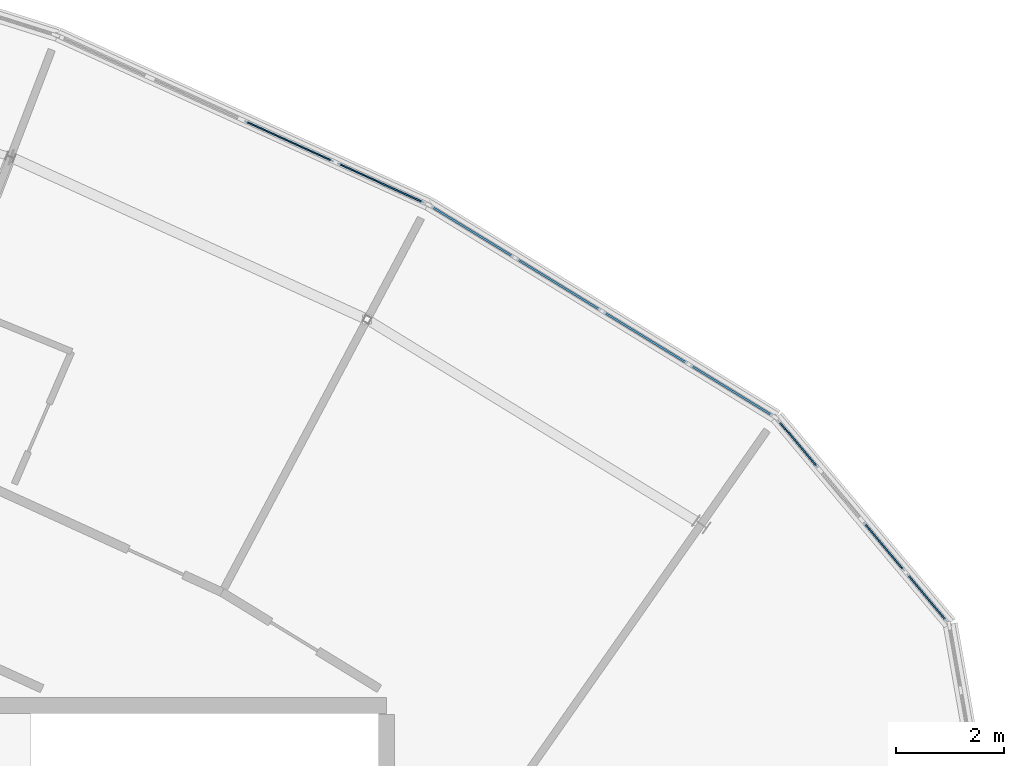
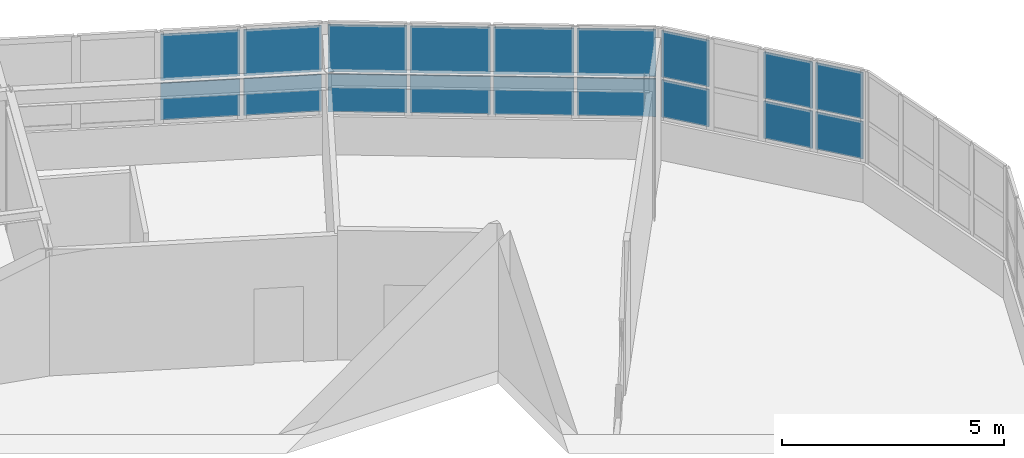
# One storey, part 19 of 26: 18 plates, 3 elements without a shape of their own.
"""IFC4 building model written with IfcOpenShell, lengths in metres."""

from ifc_helpers import new_model, si_unit, direction, frame, origin, origin_2d, place, context, subcontext, project, spatial, rectangle, extrude, material, layer, layer_set, type_object, element, aggregate, save


model = new_model("IFC4")

# Units and contexts
model_context = context("Model", 3, precision=1e-05, world=origin(), true_north=direction((0.0, 1.0)))
body_context = subcontext(model_context, "Body", "Model", "MODEL_VIEW")
ifc_project = project(units=[si_unit("LENGTHUNIT", "METRE"), si_unit("AREAUNIT", "SQUARE_METRE"), si_unit("VOLUMEUNIT", "CUBIC_METRE"), si_unit("PLANEANGLEUNIT", "RADIAN"), si_unit("MASSUNIT", "GRAM", prefix="KILO")], contexts=[model_context])

# Site, building, storey
site_placement = place(None, origin())
site = spatial("IfcSite", under=ifc_project, at=site_placement, CompositionType="ELEMENT")
building_placement = place(site_placement, origin())
building = spatial("IfcBuilding", under=site, at=building_placement, Name="Tarnwether General Hospital", CompositionType="ELEMENT")
storey_placement = place(building_placement, frame((0.0, 0.0, 30.0)))
storey = spatial("IfcBuildingStorey", under=building, at=storey_placement, Name="L07", CompositionType="ELEMENT", Elevation=30.0)

# Curtain wall, plates
ifc_material_1 = material(Name="Anodised aluminium", Category="aluminium")
ifc_layer_1 = layer(ifc_material_1, 0.159912109375)
ifc_layer_set_1 = layer_set([ifc_layer_1], Name="Anodised aluminium")
curtain_wall_type_1 = type_object("IfcCurtainWallType", Name="CW-03", PredefinedType="NOTDEFINED", material=ifc_layer_set_1)
curtain_wall_1_placement = place(storey_placement, origin())
curtain_wall_1 = element("IfcCurtainWall", 1, at=curtain_wall_1_placement, inside=storey, type_object=curtain_wall_type_1, Name="Curtain Wall CWG-L07-1273_1135-0145", PredefinedType="NOTDEFINED")
ifc_material_2 = material(Name="Double glazed low-E glass", Category="glass")
ifc_layer_2 = layer(ifc_material_2, 0.028076171875)
ifc_layer_set_2 = layer_set([ifc_layer_2], Name="Double glazed low-E glass")
plate_type_1 = type_object("IfcPlateType", Name="PT-CWP1", PredefinedType="CURTAIN_PANEL", material=ifc_layer_set_2)
plate_1_placement = place(storey_placement, frame((127.74267578125, 112.970703125, 1.1201171875), z_axis=(0.0, 0.0, 1.0), x_axis=(0.64285227611, -0.765990176896, 0.0)))
plate_1 = element("IfcPlate", 2, at=plate_1_placement, type_object=plate_type_1, Name="CW-03 panel 1.1", PredefinedType="CURTAIN_PANEL", context=body_context, shape_type="SweptSolid", body=[
    extrude(rectangle(XDim=1.137451171875, YDim=0.028076171875, at=origin_2d()), origin(), (0.0, 0.0, 1.0), 1.029052734375),
])
plate_2_placement = place(storey_placement, frame((127.74267578125, 112.970703125, 2.21923828125), z_axis=(0.0, 0.0, 1.0), x_axis=(0.64285227611, -0.765990176896, 0.0)))
plate_2 = element("IfcPlate", 3, at=plate_2_placement, type_object=plate_type_1, Name="CW-03 panel 1.2", PredefinedType="CURTAIN_PANEL", context=body_context, shape_type="SweptSolid", body=[
    extrude(rectangle(XDim=1.137451171875, YDim=0.028076171875, at=origin_2d()), origin(), (0.0, 0.0, 1.0), 1.281005859375),
])
plate_3_placement = place(storey_placement, frame((129.328857421875, 111.08056640625, 1.1201171875), z_axis=(0.0, 0.0, 1.0), x_axis=(0.64285227611, -0.765990176896, 0.0)))
plate_3 = element("IfcPlate", 4, at=plate_3_placement, type_object=plate_type_1, Name="CW-03 panel 3.1", PredefinedType="CURTAIN_PANEL", context=body_context, shape_type="SweptSolid", body=[
    extrude(rectangle(XDim=1.172607421875, YDim=0.028076171875, at=origin_2d()), origin(), (0.0, 0.0, 1.0), 1.029052734375),
])
plate_4_placement = place(storey_placement, frame((129.328857421875, 111.08056640625, 2.21923828125), z_axis=(0.0, 0.0, 1.0), x_axis=(0.64285227611, -0.765990176896, 0.0)))
plate_4 = element("IfcPlate", 5, at=plate_4_placement, type_object=plate_type_1, Name="CW-03 panel 3.2", PredefinedType="CURTAIN_PANEL", context=body_context, shape_type="SweptSolid", body=[
    extrude(rectangle(XDim=1.172607421875, YDim=0.028076171875, at=origin_2d()), origin(), (0.0, 0.0, 1.0), 1.281005859375),
])
plate_5_placement = place(storey_placement, frame((130.116455078125, 110.142333984375, 1.1201171875), z_axis=(0.0, 0.0, 1.0), x_axis=(0.64285227611, -0.765990176896, 0.0)))
plate_5 = element("IfcPlate", 6, at=plate_5_placement, type_object=plate_type_1, Name="CW-03 panel 4.1", PredefinedType="CURTAIN_PANEL", context=body_context, shape_type="SweptSolid", body=[
    extrude(rectangle(XDim=1.137451171875, YDim=0.028076171875, at=origin_2d()), origin(), (0.0, 0.0, 1.0), 1.029052734375),
])
plate_6_placement = place(storey_placement, frame((130.116455078125, 110.142333984375, 2.21923828125), z_axis=(0.0, 0.0, 1.0), x_axis=(0.64285227611, -0.765990176896, 0.0)))
plate_6 = element("IfcPlate", 7, at=plate_6_placement, type_object=plate_type_1, Name="CW-03 panel 4.2", PredefinedType="CURTAIN_PANEL", context=body_context, shape_type="SweptSolid", body=[
    extrude(rectangle(XDim=1.137451171875, YDim=0.028076171875, at=origin_2d()), origin(), (0.0, 0.0, 1.0), 1.281005859375),
])
aggregate(curtain_wall_1, [plate_1, plate_2, plate_3, plate_4, plate_5, plate_6])

ifc_material_3 = material(Name="Anodised aluminium", Category="aluminium")
ifc_layer_3 = layer(ifc_material_3, 0.179931640625)
ifc_layer_set_3 = layer_set([ifc_layer_3], Name="Anodised aluminium")
curtain_wall_type_2 = type_object("IfcCurtainWallType", Name="CW-07", PredefinedType="NOTDEFINED", material=ifc_layer_set_3)
curtain_wall_2_placement = place(storey_placement, origin())
curtain_wall_2 = element("IfcCurtainWall", 8, at=curtain_wall_2_placement, inside=storey, type_object=curtain_wall_type_2, Name="Curtain Wall CWG-L07-1141_1205-0147", PredefinedType="NOTDEFINED")
plate_7_placement = place(storey_placement, frame((118.3525390625, 118.5595703125, 1.1298828125), z_axis=(0.0, 0.0, 1.0), x_axis=(0.909960793886, -0.414694289316, 0.0)))
plate_7 = element("IfcPlate", 9, at=plate_7_placement, type_object=plate_type_1, Name="CW-07 panel 3.1", PredefinedType="CURTAIN_PANEL", context=body_context, shape_type="SweptSolid", body=[
    extrude(rectangle(XDim=1.80029296875, YDim=0.028076171875, at=origin_2d()), origin(), (0.0, 0.0, 1.0), 1.013916015625),
])
plate_8_placement = place(storey_placement, frame((118.3525390625, 118.5595703125, 2.223876953125), z_axis=(0.0, 0.0, 1.0), x_axis=(0.909960793886, -0.414694289316, 0.0)))
plate_8 = element("IfcPlate", 10, at=plate_8_placement, type_object=plate_type_1, Name="CW-07 panel 3.2", PredefinedType="CURTAIN_PANEL", context=body_context, shape_type="SweptSolid", body=[
    extrude(rectangle(XDim=1.80029296875, YDim=0.028076171875, at=origin_2d()), origin(), (0.0, 0.0, 1.0), 1.26611328125),
])
plate_9_placement = place(storey_placement, frame((120.04541015625, 117.7880859375, 1.1298828125), z_axis=(0.0, 0.0, 1.0), x_axis=(0.909960793886, -0.414694289316, 0.0)))
plate_9 = element("IfcPlate", 11, at=plate_9_placement, type_object=plate_type_1, Name="CW-07 panel 4.1", PredefinedType="CURTAIN_PANEL", context=body_context, shape_type="SweptSolid", body=[
    extrude(rectangle(XDim=1.76025390625, YDim=0.028076171875, at=origin_2d()), origin(), (0.0, 0.0, 1.0), 1.013916015625),
])
plate_10_placement = place(storey_placement, frame((120.04541015625, 117.7880859375, 2.223876953125), z_axis=(0.0, 0.0, 1.0), x_axis=(0.909960793886, -0.414694289316, 0.0)))
plate_10 = element("IfcPlate", 12, at=plate_10_placement, type_object=plate_type_1, Name="CW-07 panel 4.2", PredefinedType="CURTAIN_PANEL", context=body_context, shape_type="SweptSolid", body=[
    extrude(rectangle(XDim=1.76025390625, YDim=0.028076171875, at=origin_2d()), origin(), (0.0, 0.0, 1.0), 1.26611328125),
])
aggregate(curtain_wall_2, [plate_7, plate_8, plate_9, plate_10])

curtain_wall_3_placement = place(storey_placement, origin())
curtain_wall_3 = element("IfcCurtainWall", 13, at=curtain_wall_3_placement, inside=storey, type_object=curtain_wall_type_2, Name="Curtain Wall CWG-L07-1209_1174-0146", PredefinedType="NOTDEFINED")
ifc_material_4 = material(Name="Double glazed low-E glass", Category="glass")
ifc_layer_4 = layer(ifc_material_4, 0.035888671875)
ifc_layer_set_4 = layer_set([ifc_layer_4], Name="Double glazed low-E glass")
plate_type_2 = type_object("IfcPlateType", Name="PT-CWP2", PredefinedType="CURTAIN_PANEL", material=ifc_layer_set_4)
plate_11_placement = place(storey_placement, frame((121.734375, 116.890380859375, 1.114990234375), z_axis=(0.0, 0.0, 1.0), x_axis=(0.852633734977, -0.522509056361, 0.0)))
plate_11 = element("IfcPlate", 14, at=plate_11_placement, type_object=plate_type_2, Name="CW-07 panel 1.1", PredefinedType="CURTAIN_PANEL", context=body_context, shape_type="SweptSolid", body=[
    extrude(rectangle(XDim=1.782958984375, YDim=0.035888671875, at=origin_2d()), origin(), (0.0, 0.0, 1.0), 1.03662109375),
])
plate_12_placement = place(storey_placement, frame((121.734375, 116.890380859375, 2.216552734375), z_axis=(0.0, 0.0, 1.0), x_axis=(0.852633734977, -0.522509056361, 0.0)))
plate_12 = element("IfcPlate", 15, at=plate_12_placement, type_object=plate_type_2, Name="CW-07 panel 1.2", PredefinedType="CURTAIN_PANEL", context=body_context, shape_type="SweptSolid", body=[
    extrude(rectangle(XDim=1.782958984375, YDim=0.035888671875, at=origin_2d()), origin(), (0.0, 0.0, 1.0), 1.28857421875),
])
plate_13_placement = place(storey_placement, frame((123.323974609375, 115.916259765625, 1.114990234375), z_axis=(0.0, 0.0, 1.0), x_axis=(0.852633734977, -0.522509056361, 0.0)))
plate_13 = element("IfcPlate", 16, at=plate_13_placement, type_object=plate_type_2, Name="CW-07 panel 2.1", PredefinedType="CURTAIN_PANEL", context=body_context, shape_type="SweptSolid", body=[
    extrude(rectangle(XDim=1.8154296875, YDim=0.035888671875, at=origin_2d()), origin(), (0.0, 0.0, 1.0), 1.03662109375),
])
plate_14_placement = place(storey_placement, frame((123.323974609375, 115.916259765625, 2.216552734375), z_axis=(0.0, 0.0, 1.0), x_axis=(0.852633734977, -0.522509056361, 0.0)))
plate_14 = element("IfcPlate", 17, at=plate_14_placement, type_object=plate_type_2, Name="CW-07 panel 2.2", PredefinedType="CURTAIN_PANEL", context=body_context, shape_type="SweptSolid", body=[
    extrude(rectangle(XDim=1.8154296875, YDim=0.035888671875, at=origin_2d()), origin(), (0.0, 0.0, 1.0), 1.28857421875),
])
plate_15_placement = place(storey_placement, frame((124.92724609375, 114.933837890625, 1.114990234375), z_axis=(0.0, 0.0, 1.0), x_axis=(0.852633734977, -0.522509056361, 0.0)))
plate_15 = element("IfcPlate", 18, at=plate_15_placement, type_object=plate_type_2, Name="CW-07 panel 3.1", PredefinedType="CURTAIN_PANEL", context=body_context, shape_type="SweptSolid", body=[
    extrude(rectangle(XDim=1.8154296875, YDim=0.035888671875, at=origin_2d()), origin(), (0.0, 0.0, 1.0), 1.03662109375),
])
plate_16_placement = place(storey_placement, frame((124.92724609375, 114.933837890625, 2.216552734375), z_axis=(0.0, 0.0, 1.0), x_axis=(0.852633734977, -0.522509056361, 0.0)))
plate_16 = element("IfcPlate", 19, at=plate_16_placement, type_object=plate_type_2, Name="CW-07 panel 3.2", PredefinedType="CURTAIN_PANEL", context=body_context, shape_type="SweptSolid", body=[
    extrude(rectangle(XDim=1.8154296875, YDim=0.035888671875, at=origin_2d()), origin(), (0.0, 0.0, 1.0), 1.28857421875),
])
plate_17_placement = place(storey_placement, frame((126.5166015625, 113.959716796875, 1.114990234375), z_axis=(0.0, 0.0, 1.0), x_axis=(0.852633734977, -0.522509056361, 0.0)))
plate_17 = element("IfcPlate", 20, at=plate_17_placement, type_object=plate_type_2, Name="CW-07 panel 4.1", PredefinedType="CURTAIN_PANEL", context=body_context, shape_type="SweptSolid", body=[
    extrude(rectangle(XDim=1.782958984375, YDim=0.035888671875, at=origin_2d()), origin(), (0.0, 0.0, 1.0), 1.03662109375),
])
plate_18_placement = place(storey_placement, frame((126.5166015625, 113.959716796875, 2.216552734375), z_axis=(0.0, 0.0, 1.0), x_axis=(0.852633734977, -0.522509056361, 0.0)))
plate_18 = element("IfcPlate", 21, at=plate_18_placement, type_object=plate_type_2, Name="CW-07 panel 4.2", PredefinedType="CURTAIN_PANEL", context=body_context, shape_type="SweptSolid", body=[
    extrude(rectangle(XDim=1.782958984375, YDim=0.035888671875, at=origin_2d()), origin(), (0.0, 0.0, 1.0), 1.28857421875),
])
aggregate(curtain_wall_3, [plate_11, plate_12, plate_13, plate_14, plate_15, plate_16, plate_17, plate_18])

save(model, "model.ifc")
